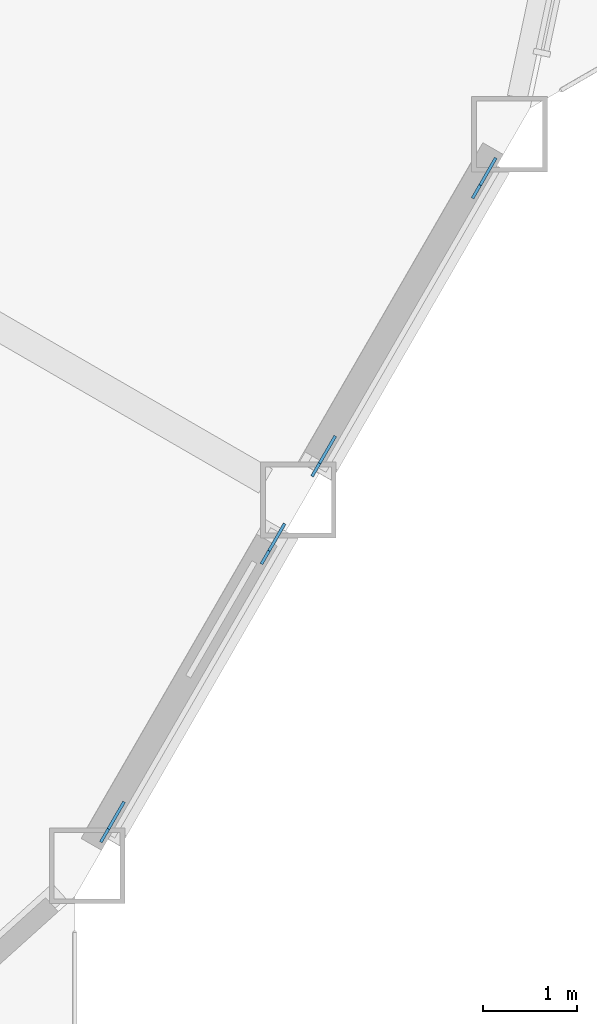
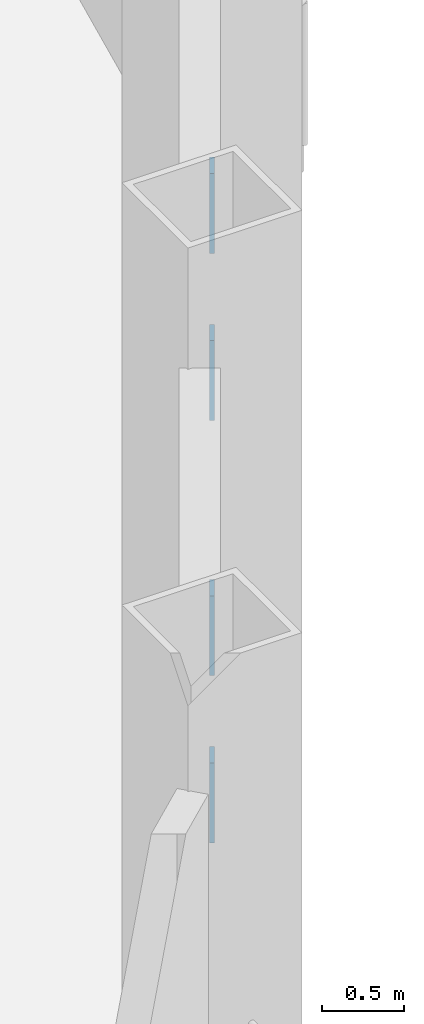
# One storey, part 16 of 22: 4 discrete accessories.
"""IFC4 building model written with IfcOpenShell, lengths in metres."""

from ifc_helpers import new_model, si_unit, direction, frame, origin, origin_2d, place, context, subcontext, project, spatial, rectangle, extrude, material, material_profile, profile_set, type_object, element, save


model = new_model("IFC4")

# Units and contexts
model_context = context("Model", 3, precision=1e-05, world=origin(), true_north=direction((0.0, 1.0)))
body_context = subcontext(model_context, "Body", "Model", "MODEL_VIEW")
ifc_project = project(units=[si_unit("LENGTHUNIT", "METRE"), si_unit("AREAUNIT", "SQUARE_METRE"), si_unit("VOLUMEUNIT", "CUBIC_METRE"), si_unit("PLANEANGLEUNIT", "RADIAN"), si_unit("MASSUNIT", "GRAM", prefix="KILO")], contexts=[model_context])

# Site, building, storey
site_placement = place(None, origin())
site = spatial("IfcSite", under=ifc_project, at=site_placement, CompositionType="ELEMENT")
building_placement = place(site_placement, origin())
building = spatial("IfcBuilding", under=site, at=building_placement, Name="Cormorant Prow Tower", CompositionType="ELEMENT")
storey_placement = place(building_placement, frame((0.0, 0.0, 194.39990234375)))
storey = spatial("IfcBuildingStorey", under=building, at=storey_placement, Name="L42", CompositionType="ELEMENT", Elevation=194.39990234375)

# Discrete accessories
ifc_material = material(Name="Structural steel ASTM A500 Gr C", Category="steel")
ifc_material_profile = material_profile(ifc_material, rectangle(XDim=0.031982421875, YDim=0.506103515625, at=origin_2d()), Name="Gusset plate 32x506")
ifc_profile_set = profile_set([ifc_material_profile], Name="Structural steel ASTM A500 Gr C")
discrete_accessory_type = type_object("IfcDiscreteAccessoryType", Name="Gusset plate 32x506", PredefinedType="BRACKET", material=ifc_profile_set)
discrete_accessory_1_placement = place(storey_placement, frame((27.7080078125, -16.807373046875, 0.835693359375), z_axis=(0.474172452765, 0.820736730742, -0.318671780755), x_axis=(-0.86587923604, 0.500253084543, 0.0)))
element("IfcDiscreteAccessory", 1, at=discrete_accessory_1_placement, inside=storey, type_object=discrete_accessory_type, Name="Gusset plate GP2 L42.ESE00.g0", PredefinedType="BRACKET", context=body_context, shape_type="SweptSolid", body=[
    extrude(rectangle(XDim=0.031982421875, YDim=0.506103515625, at=origin_2d()), origin(), (0.0, 0.0, 1.0), 0.35009765625),
])
discrete_accessory_2_placement = place(storey_placement, frame((26.17431640625, -19.463623046875, 1.865478515625), z_axis=(-0.47373689254, -0.821190460264, 0.318150254784), x_axis=(0.866197837791, -0.499701216534, 0.0)))
element("IfcDiscreteAccessory", 2, at=discrete_accessory_2_placement, inside=storey, type_object=discrete_accessory_type, Name="Gusset plate GP2 L42.ESE00.g1", PredefinedType="BRACKET", context=body_context, shape_type="SweptSolid", body=[
    extrude(rectangle(XDim=0.031982421875, YDim=0.506103515625, at=origin_2d()), origin(), (0.0, 0.0, 1.0), 0.349853515625),
])
for number, where, z_axis, x_axis, name in (
    (3, (29.943359375, -12.935791015625, 0.835693359375), (0.473631655621, 0.821008039272, -0.31877712315), (-0.866197837791, 0.499701216534, 0.0), "Gusset plate GP2 L42.ESE01.g0"),
    (4, (28.40966796875, -15.59228515625, 1.865478515625), (-0.4742777402, -0.820918970906, 0.31804507284), (0.86587923604, -0.500253084543, 0.0), "Gusset plate GP2 L42.ESE01.g1"),
):
    element("IfcDiscreteAccessory", number, at=place(storey_placement, frame(where, z_axis=z_axis, x_axis=x_axis)), inside=storey, type_object=discrete_accessory_type, Name=name, PredefinedType="BRACKET", context=body_context, shape_type="SweptSolid", body=[
        extrude(rectangle(XDim=0.031982421875, YDim=0.506103515625, at=origin_2d()), origin(), (0.0, 0.0, 1.0), 0.35009765625),
    ])

save(model, "model.ifc")
